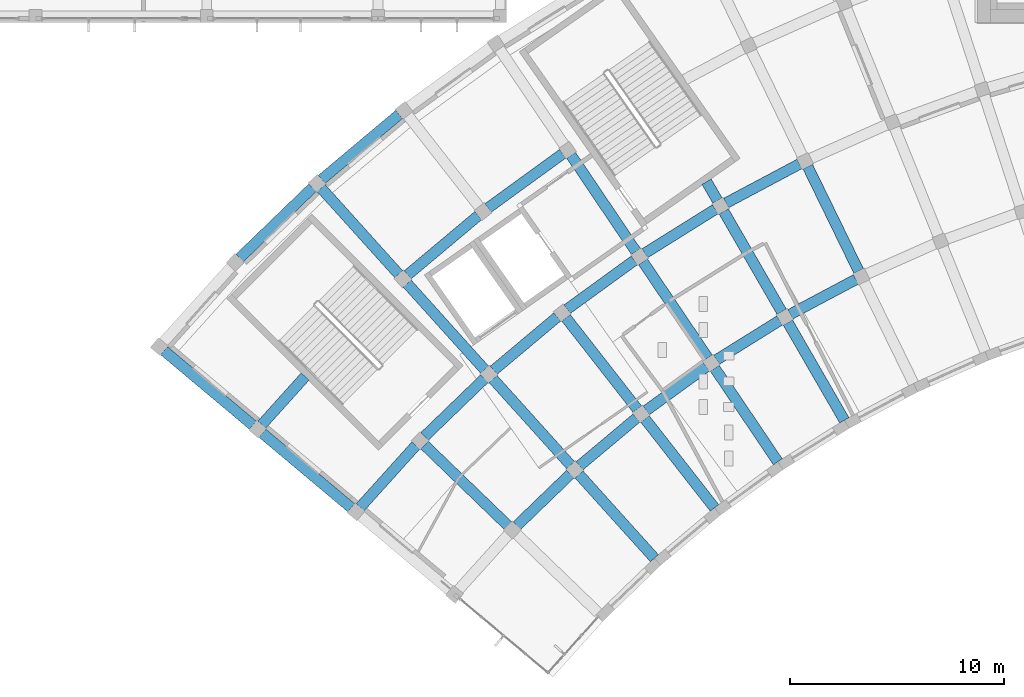
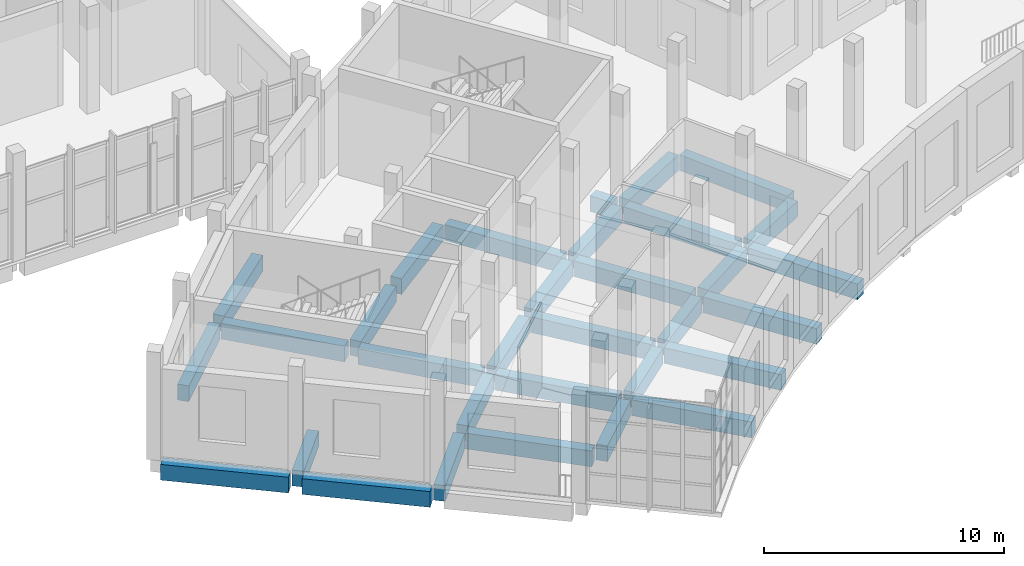
# One storey, part 9 of 132: 32 beams.
"""IFC4 building model written with IfcOpenShell, lengths in metres."""

from ifc_helpers import new_model, si_unit, direction, frame, origin, origin_2d, place, context, subcontext, project, spatial, rectangle, extrude, material, material_profile, profile_set, type_object, element, save


model = new_model("IFC4")

# Units and contexts
model_context = context("Model", 3, precision=1e-05, world=origin(), true_north=direction((0.0, 1.0)))
body_context = subcontext(model_context, "Body", "Model", "MODEL_VIEW")
ifc_project = project(units=[si_unit("LENGTHUNIT", "METRE"), si_unit("AREAUNIT", "SQUARE_METRE"), si_unit("VOLUMEUNIT", "CUBIC_METRE"), si_unit("PLANEANGLEUNIT", "RADIAN"), si_unit("MASSUNIT", "GRAM", prefix="KILO")], contexts=[model_context])

# Site, building, storey
site_placement = place(None, origin())
site = spatial("IfcSite", under=ifc_project, at=site_placement, CompositionType="ELEMENT")
building_placement = place(site_placement, origin())
building = spatial("IfcBuilding", under=site, at=building_placement, Name="Lunette Opera House", CompositionType="ELEMENT")
storey_placement = place(building_placement, frame((0.0, 0.0, 17.0)))
storey = spatial("IfcBuildingStorey", under=building, at=storey_placement, Name="L03", CompositionType="ELEMENT", Elevation=17.0)

# Beams
ifc_material = material(Name="Concrete C35/45", Category="concrete")
ifc_material_profile = material_profile(ifc_material, rectangle(XDim=0.5, YDim=0.800048828125, at=origin_2d()), Name="RC BEAM 500X800")
ifc_profile_set = profile_set([ifc_material_profile], Name="Concrete C35/45")
beam_type = type_object("IfcBeamType", Name="RC BEAM 500X800", PredefinedType="BEAM", material=ifc_profile_set)
beam_1_placement = place(storey_placement, frame((46.7509765625, 41.324951171875, -0.6201171875), z_axis=(-0.76601623697, 0.642821222968, 0.0), x_axis=(-0.642821222968, -0.76601623697, 0.0)))
element("IfcBeam", 1, at=beam_1_placement, inside=storey, type_object=beam_type, Name="beam-FC-L03-L03-RB-RL-01-3", PredefinedType="BEAM", context=body_context, shape_type="SweptSolid", body=[
    extrude(rectangle(XDim=0.5, YDim=0.800048828125, at=origin_2d()), origin(), (0.0, 0.0, 1.0), 5.420166015625),
])
beam_2_placement = place(storey_placement, frame((42.155029296875, 45.181884765625, -0.6201171875), z_axis=(-0.766123568509, 0.64269329993, 0.0), x_axis=(-0.64269329993, -0.766123568509, 0.0)))
element("IfcBeam", 2, at=beam_2_placement, inside=storey, type_object=beam_type, Name="beam-FC-L03-L03-RB-RL-01-4", PredefinedType="BEAM", context=body_context, shape_type="SweptSolid", body=[
    extrude(rectangle(XDim=0.5, YDim=0.800048828125, at=origin_2d()), origin(), (0.0, 0.0, 1.0), 5.419677734375),
])
beam_3_placement = place(storey_placement, frame((54.070068359375, 40.491943359375, -0.6201171875), z_axis=(-0.719362654248, 0.694634703764, 0.0), x_axis=(-0.694634703764, -0.719362654248, 0.0)))
element("IfcBeam", 3, at=beam_3_placement, inside=storey, type_object=beam_type, Name="beam-FC-L03-L03-RB-RL-02-2", PredefinedType="BEAM", context=body_context, shape_type="SweptSolid", body=[
    extrude(rectangle(XDim=0.5, YDim=0.800048828125, at=origin_2d()), origin(), (0.0, 0.0, 1.0), 5.42041015625),
])
beam_4_placement = place(storey_placement, frame((60.910888671875, 38.970947265625, -0.6201171875), z_axis=(-0.669220634894, 0.743063753545, 0.0), x_axis=(-0.743063753545, -0.669220634894, 0.0)))
element("IfcBeam", 4, at=beam_4_placement, inside=storey, type_object=beam_type, Name="beam-FC-L03-L03-RB-RL-03-1", PredefinedType="BEAM", context=body_context, shape_type="SweptSolid", body=[
    extrude(rectangle(XDim=0.5, YDim=0.800048828125, at=origin_2d()), origin(), (0.0, 0.0, 1.0), 5.27001953125),
])
beam_5_placement = place(storey_placement, frame((56.99609375, 43.318115234375, -0.6201171875), z_axis=(-0.669059303024, 0.743209021095, 0.0), x_axis=(-0.743209021095, -0.669059303024, 0.0)))
element("IfcBeam", 5, at=beam_5_placement, inside=storey, type_object=beam_type, Name="beam-FC-L03-L03-RB-RL-03-2", PredefinedType="BEAM", context=body_context, shape_type="SweptSolid", body=[
    extrude(rectangle(XDim=0.5, YDim=0.800048828125, at=origin_2d()), origin(), (0.0, 0.0, 1.0), 5.41943359375),
])
beam_6_placement = place(storey_placement, frame((52.98193359375, 47.777099609375, -0.6201171875), z_axis=(-0.66915881677, 0.743119423739, 0.0), x_axis=(-0.743119423739, -0.66915881677, 0.0)))
element("IfcBeam", 6, at=beam_6_placement, inside=storey, type_object=beam_type, Name="beam-FC-L03-L03-RB-RL-03-3", PredefinedType="BEAM", context=body_context, shape_type="SweptSolid", body=[
    extrude(rectangle(XDim=0.5, YDim=0.800048828125, at=origin_2d()), origin(), (0.0, 0.0, 1.0), 5.420166015625),
])
beam_7_placement = place(storey_placement, frame((48.967041015625, 52.236083984375, -0.6201171875), z_axis=(-0.669248417117, 0.743038731283, 0.0), x_axis=(-0.743038731283, -0.669248417117, 0.0)))
element("IfcBeam", 7, at=beam_7_placement, inside=storey, type_object=beam_type, Name="beam-FC-L03-L03-RB-RL-03-4", PredefinedType="BEAM", context=body_context, shape_type="SweptSolid", body=[
    extrude(rectangle(XDim=0.5, YDim=0.800048828125, at=origin_2d()), origin(), (0.0, 0.0, 1.0), 5.41943359375),
])
beam_8_placement = place(storey_placement, frame((63.715087890625, 41.322998046875, -0.6201171875), z_axis=(-0.615706064314, 0.787975914839, 0.0), x_axis=(-0.787975914839, -0.615706064314, 0.0)))
element("IfcBeam", 8, at=beam_8_placement, inside=storey, type_object=beam_type, Name="beam-FC-L03-L03-RB-RL-04-1", PredefinedType="BEAM", context=body_context, shape_type="SweptSolid", body=[
    extrude(rectangle(XDim=0.5, YDim=0.800048828125, at=origin_2d()), origin(), (0.0, 0.0, 1.0), 5.2705078125),
])
beam_9_placement = place(storey_placement, frame((60.113037109375, 45.93310546875, -0.6201171875), z_axis=(-0.615694738136, 0.78798476472, 0.0), x_axis=(-0.78798476472, -0.615694738136, 0.0)))
element("IfcBeam", 9, at=beam_9_placement, inside=storey, type_object=beam_type, Name="beam-FC-L03-L03-RB-RL-04-2", PredefinedType="BEAM", context=body_context, shape_type="SweptSolid", body=[
    extrude(rectangle(XDim=0.5, YDim=0.800048828125, at=origin_2d()), origin(), (0.0, 0.0, 1.0), 5.420166015625),
])
beam_10_placement = place(storey_placement, frame((66.676025390625, 43.47509765625, -0.6201171875), z_axis=(-0.559214239494, 0.829023180826, 0.0), x_axis=(-0.829023180826, -0.559214239494, 0.0)))
element("IfcBeam", 10, at=beam_10_placement, inside=storey, type_object=beam_type, Name="beam-FC-L03-L03-RB-RL-05-1", PredefinedType="BEAM", context=body_context, shape_type="SweptSolid", body=[
    extrude(rectangle(XDim=0.5, YDim=0.800048828125, at=origin_2d()), origin(), (0.0, 0.0, 1.0), 5.27001953125),
])
beam_11_placement = place(storey_placement, frame((63.405029296875, 48.324951171875, -0.6201171875), z_axis=(-0.559234551388, 0.829009479158, 0.0), x_axis=(-0.829009479158, -0.559234551388, 0.0)))
element("IfcBeam", 11, at=beam_11_placement, inside=storey, type_object=beam_type, Name="beam-FC-L03-L03-RB-RL-05-2", PredefinedType="BEAM", context=body_context, shape_type="SweptSolid", body=[
    extrude(rectangle(XDim=0.5, YDim=0.800048828125, at=origin_2d()), origin(), (0.0, 0.0, 1.0), 5.419921875),
])
beam_12_placement = place(storey_placement, frame((60.049072265625, 53.299072265625, -0.6201171875), z_axis=(-0.559131586126, 0.829078928327, 0.0), x_axis=(-0.829078928327, -0.559131586126, 0.0)))
element("IfcBeam", 12, at=beam_12_placement, inside=storey, type_object=beam_type, Name="beam-FC-L03-L03-RB-RL-05-3", PredefinedType="BEAM", context=body_context, shape_type="SweptSolid", body=[
    extrude(rectangle(XDim=0.5, YDim=0.800048828125, at=origin_2d()), origin(), (0.0, 0.0, 1.0), 5.419189453125),
])
beam_13_placement = place(storey_placement, frame((69.780029296875, 45.4140625, -0.6201171875), z_axis=(-0.500000488781, 0.866025121586, 0.0), x_axis=(-0.866025121586, -0.500000488781, 0.0)))
element("IfcBeam", 13, at=beam_13_placement, inside=storey, type_object=beam_type, Name="beam-FC-L03-L03-RB-RL-06-1", PredefinedType="BEAM", context=body_context, shape_type="SweptSolid", body=[
    extrude(rectangle(XDim=0.5, YDim=0.800048828125, at=origin_2d()), origin(), (0.0, 0.0, 1.0), 5.27001953125),
])
beam_14_placement = place(storey_placement, frame((66.85498046875, 50.48095703125, -0.6201171875), z_axis=(-0.500053916174, 0.865994273029, 0.0), x_axis=(-0.865994273029, -0.500053916174, 0.0)))
element("IfcBeam", 14, at=beam_14_placement, inside=storey, type_object=beam_type, Name="beam-FC-L03-L03-RB-RL-06-2", PredefinedType="BEAM", context=body_context, shape_type="SweptSolid", body=[
    extrude(rectangle(XDim=0.5, YDim=0.800048828125, at=origin_2d()), origin(), (0.0, 0.0, 1.0), 5.41943359375),
])
beam_15_placement = place(storey_placement, frame((63.85498046875, 55.677001953125, -0.6201171875), z_axis=(-0.499826215357, 0.866125715149, 0.0), x_axis=(-0.866125715149, -0.499826215357, 0.0)))
element("IfcBeam", 15, at=beam_15_placement, inside=storey, type_object=beam_type, Name="beam-FC-L03-L03-RB-RL-06-3", PredefinedType="BEAM", context=body_context, shape_type="SweptSolid", body=[
    extrude(rectangle(XDim=0.5, YDim=0.800048828125, at=origin_2d()), origin(), (0.0, 0.0, 1.0), 1.018310546875),
])
beam_16_placement = place(storey_placement, frame((70.447021484375, 52.39111328125, -0.6201171875), z_axis=(-0.438416531546, 0.898771909256, 0.0), x_axis=(-0.898771909256, -0.438416531546, 0.0)))
element("IfcBeam", 16, at=beam_16_placement, inside=storey, type_object=beam_type, Name="beam-FC-L03-L03-RB-RL-07-2", PredefinedType="BEAM", context=body_context, shape_type="SweptSolid", body=[
    extrude(rectangle(XDim=0.5, YDim=0.800048828125, at=origin_2d()), origin(), (0.0, 0.0, 1.0), 5.41943359375),
])
beam_17_placement = place(storey_placement, frame((54.487060546875, 40.491943359375, -0.6201171875), z_axis=(0.719392966206, 0.694603311375, 0.0), x_axis=(-0.694603311375, 0.719392966206, 0.0)))
element("IfcBeam", 17, at=beam_17_placement, inside=storey, type_object=beam_type, Name="beam-FC-L03-L03-RG-AR-M1-RL-02", PredefinedType="BEAM", context=body_context, shape_type="SweptSolid", body=[
    extrude(rectangle(XDim=0.5, YDim=0.800048828125, at=origin_2d()), origin(), (0.0, 0.0, 1.0), 3.466552734375),
])
beam_18_placement = place(storey_placement, frame((57.412109375, 43.2890625, -0.6201171875), z_axis=(0.76622731236, 0.642569611633, 0.0), x_axis=(-0.642569611633, 0.76622731236, 0.0)))
element("IfcBeam", 18, at=beam_18_placement, inside=storey, type_object=beam_type, Name="beam-FC-L03-L03-RG-AR-M1-RL-03", PredefinedType="BEAM", context=body_context, shape_type="SweptSolid", body=[
    extrude(rectangle(XDim=0.5, YDim=0.800048828125, at=origin_2d()), origin(), (0.0, 0.0, 1.0), 3.468994140625),
])
beam_19_placement = place(storey_placement, frame((60.527099609375, 45.8759765625, -0.6201171875), z_axis=(0.80912572479, 0.5876355686, 0.0), x_axis=(-0.5876355686, 0.80912572479, 0.0)))
element("IfcBeam", 19, at=beam_19_placement, inside=storey, type_object=beam_type, Name="beam-FC-L03-L03-RG-AR-M1-RL-04", PredefinedType="BEAM", context=body_context, shape_type="SweptSolid", body=[
    extrude(rectangle(XDim=0.5, YDim=0.800048828125, at=origin_2d()), origin(), (0.0, 0.0, 1.0), 3.466552734375),
])
beam_20_placement = place(storey_placement, frame((63.81298828125, 48.238037109375, -0.6201171875), z_axis=(0.848148581563, 0.52975842003, 0.0), x_axis=(-0.52975842003, 0.848148581563, 0.0)))
element("IfcBeam", 20, at=beam_20_placement, inside=storey, type_object=beam_type, Name="beam-FC-L03-L03-RG-AR-M1-RL-05", PredefinedType="BEAM", context=body_context, shape_type="SweptSolid", body=[
    extrude(rectangle(XDim=0.5, YDim=0.800048828125, at=origin_2d()), origin(), (0.0, 0.0, 1.0), 3.467529296875),
])
beam_21_placement = place(storey_placement, frame((67.256103515625, 50.364990234375, -0.6201171875), z_axis=(0.882851275799, 0.469652664019, 0.0), x_axis=(-0.469652664019, 0.882851275799, 0.0)))
element("IfcBeam", 21, at=beam_21_placement, inside=storey, type_object=beam_type, Name="beam-FC-L03-L03-RG-AR-M1-RL-06", PredefinedType="BEAM", context=body_context, shape_type="SweptSolid", body=[
    extrude(rectangle(XDim=0.5, YDim=0.800048828125, at=origin_2d()), origin(), (0.0, 0.0, 1.0), 3.46826171875),
])
beam_22_placement = place(storey_placement, frame((47.1669921875, 41.35400390625, -0.6201171875), z_axis=(0.669238854245, 0.743047344365, 0.0), x_axis=(-0.743047344365, 0.669238854245, 0.0)))
element("IfcBeam", 22, at=beam_22_placement, inside=storey, type_object=beam_type, Name="beam-FC-L03-L03-RG-AR-B-RL-01", PredefinedType="BEAM", context=body_context, shape_type="SweptSolid", body=[
    extrude(rectangle(XDim=0.5, YDim=0.800048828125, at=origin_2d()), origin(), (0.0, 0.0, 1.0), 3.88671875),
])
beam_23_placement = place(storey_placement, frame((50.1708984375, 44.659912109375, -0.6201171875), z_axis=(0.719497793306, 0.694494726709, 0.0), x_axis=(-0.694494726709, 0.719497793306, 0.0)))
element("IfcBeam", 23, at=beam_23_placement, inside=storey, type_object=beam_type, Name="beam-FC-L03-L03-RG-AR-B-RL-02", PredefinedType="BEAM", context=body_context, shape_type="SweptSolid", body=[
    extrude(rectangle(XDim=0.5, YDim=0.800048828125, at=origin_2d()), origin(), (0.0, 0.0, 1.0), 3.88623046875),
])
beam_24_placement = place(storey_placement, frame((53.39794921875, 47.748046875, -0.6201171875), z_axis=(0.76614764774, 0.642664595153, 0.0), x_axis=(-0.642664595153, 0.76614764774, 0.0)))
element("IfcBeam", 24, at=beam_24_placement, inside=storey, type_object=beam_type, Name="beam-FC-L03-L03-RG-AR-B-RL-03", PredefinedType="BEAM", context=body_context, shape_type="SweptSolid", body=[
    extrude(rectangle(XDim=0.5, YDim=0.800048828125, at=origin_2d()), origin(), (0.0, 0.0, 1.0), 3.886962890625),
])
beam_25_placement = place(storey_placement, frame((56.8330078125, 50.60400390625, -0.6201171875), z_axis=(0.809178751177, 0.587562548708, 0.0), x_axis=(-0.587562548708, 0.809178751177, 0.0)))
element("IfcBeam", 25, at=beam_25_placement, inside=storey, type_object=beam_type, Name="beam-FC-L03-L03-RG-AR-B-RL-04", PredefinedType="BEAM", context=body_context, shape_type="SweptSolid", body=[
    extrude(rectangle(XDim=0.5, YDim=0.800048828125, at=origin_2d()), origin(), (0.0, 0.0, 1.0), 3.885498046875),
])
beam_26_placement = place(storey_placement, frame((60.4580078125, 53.2119140625, -0.6201171875), z_axis=(0.847984188279, 0.530021524496, 0.0), x_axis=(-0.530021524496, 0.847984188279, 0.0)))
element("IfcBeam", 26, at=beam_26_placement, inside=storey, type_object=beam_type, Name="beam-FC-L03-L03-RG-AR-B-RL-05", PredefinedType="BEAM", context=body_context, shape_type="SweptSolid", body=[
    extrude(rectangle(XDim=0.5, YDim=0.800048828125, at=origin_2d()), origin(), (0.0, 0.0, 1.0), 3.88671875),
])
beam_27_placement = place(storey_placement, frame((64.256103515625, 55.56201171875, -0.6201171875), z_axis=(0.882927791084, 0.469508802614, 0.0), x_axis=(-0.469508802614, 0.882927791084, 0.0)))
element("IfcBeam", 27, at=beam_27_placement, inside=storey, type_object=beam_type, Name="beam-FC-L03-L03-RG-AR-B-RL-06", PredefinedType="BEAM", context=body_context, shape_type="SweptSolid", body=[
    extrude(rectangle(XDim=0.5, YDim=0.800048828125, at=origin_2d()), origin(), (0.0, 0.0, 1.0), 3.886962890625),
])
beam_28_placement = place(storey_placement, frame((42.571044921875, 45.2109375, -0.6201171875), z_axis=(0.66908957812, 0.743181765419, 0.0), x_axis=(-0.743181765419, 0.66908957812, 0.0)))
element("IfcBeam", 28, at=beam_28_placement, inside=storey, type_object=beam_type, Name="beam-FC-L03-L03-RG-AR-M2-RL-01", PredefinedType="BEAM", context=body_context, shape_type="SweptSolid", body=[
    extrude(rectangle(XDim=0.5, YDim=0.800048828125, at=origin_2d()), origin(), (0.0, 0.0, 1.0), 3.02490234375),
])
beam_29_placement = place(storey_placement, frame((49.383056640625, 52.20703125, -0.6201171875), z_axis=(0.766153717556, 0.642657358998, 0.0), x_axis=(-0.642657358998, 0.766153717556, 0.0)))
element("IfcBeam", 29, at=beam_29_placement, inside=storey, type_object=beam_type, Name="beam-FC-L03-L03-RG-AR-M2-RL-03", PredefinedType="BEAM", context=body_context, shape_type="SweptSolid", body=[
    extrude(rectangle(XDim=0.5, YDim=0.800048828125, at=origin_2d()), origin(), (0.0, 0.0, 1.0), 4.3056640625),
])
beam_30_placement = place(storey_placement, frame((53.138916015625, 55.33203125, -0.6201171875), z_axis=(0.809008257327, 0.587797277619, 0.0), x_axis=(-0.587797277619, 0.809008257327, 0.0)))
element("IfcBeam", 30, at=beam_30_placement, inside=storey, type_object=beam_type, Name="beam-FC-L03-L03-RG-AR-M2-RL-04", PredefinedType="BEAM", context=body_context, shape_type="SweptSolid", body=[
    extrude(rectangle(XDim=0.5, YDim=0.800048828125, at=origin_2d()), origin(), (0.0, 0.0, 1.0), 4.30419921875),
])
beam_31_placement = place(storey_placement, frame((41.5390625, 52.99609375, -0.6201171875), z_axis=(0.719377413879, 0.694619418388, 0.0), x_axis=(-0.694619418388, 0.719377413879, 0.0)))
element("IfcBeam", 31, at=beam_31_placement, inside=storey, type_object=beam_type, Name="beam-FC-L03-L03-RG-AR-C-RL-02", PredefinedType="BEAM", context=body_context, shape_type="SweptSolid", body=[
    extrude(rectangle(XDim=0.5, YDim=0.800048828125, at=origin_2d()), origin(), (0.0, 0.0, 1.0), 4.723388671875),
])
beam_32_placement = place(storey_placement, frame((45.367919921875, 56.666015625, -0.6201171875), z_axis=(0.76622683329, 0.642570182895, 0.0), x_axis=(-0.642570182895, 0.76622683329, 0.0)))
element("IfcBeam", 32, at=beam_32_placement, inside=storey, type_object=beam_type, Name="beam-FC-L03-L03-RG-AR-C-RL-03", PredefinedType="BEAM", context=body_context, shape_type="SweptSolid", body=[
    extrude(rectangle(XDim=0.5, YDim=0.800048828125, at=origin_2d()), origin(), (0.0, 0.0, 1.0), 4.724609375),
])

save(model, "model.ifc")
